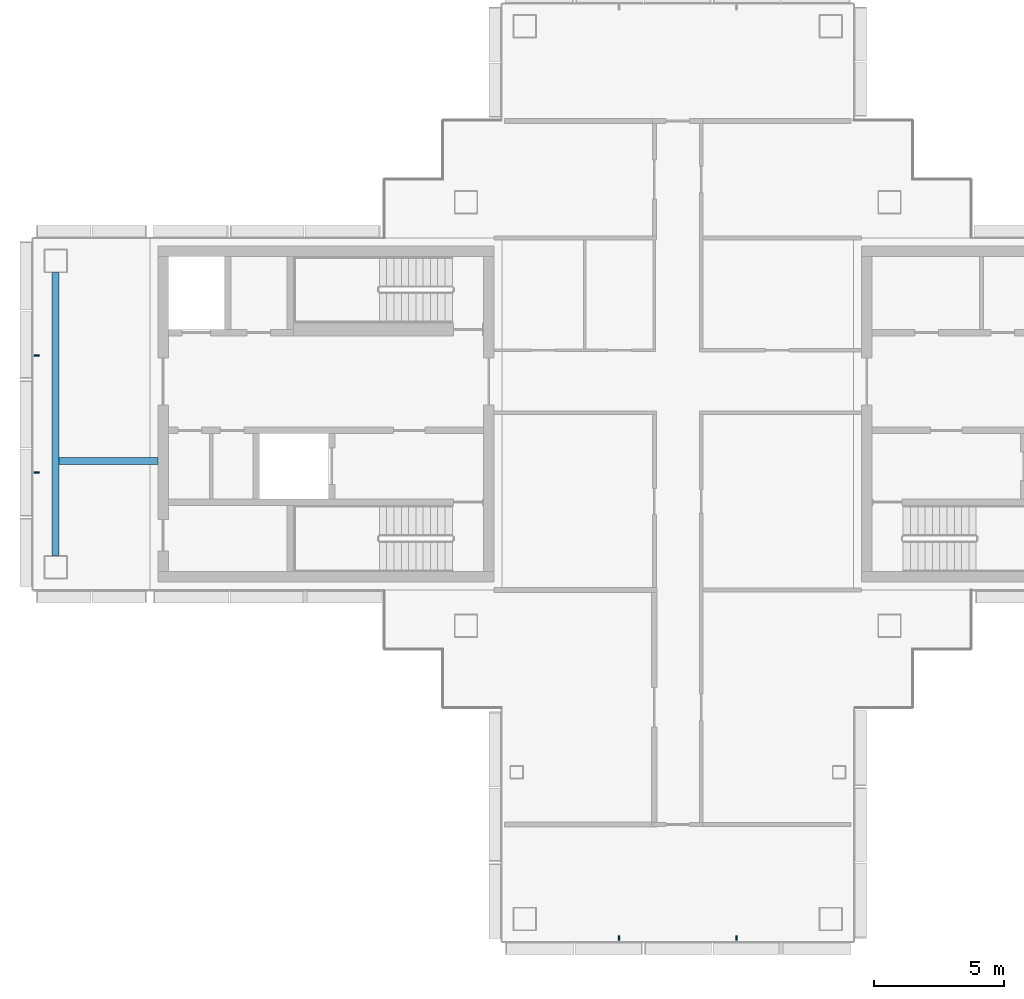
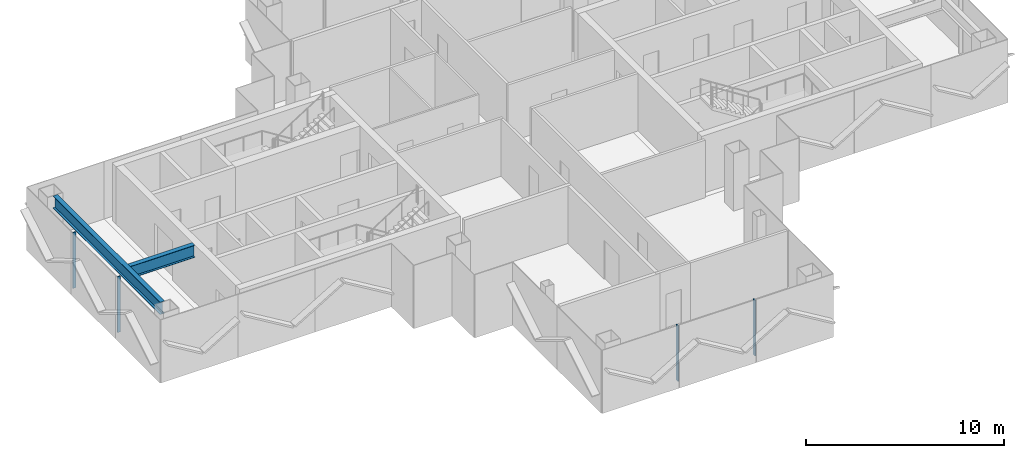
# One storey, part 3 of 17: 4 members, 2 beams, 2 elements without a shape of their own.
"""IFC4 building model written with IfcOpenShell, lengths in metres."""

from ifc_helpers import new_model, si_unit, direction, frame, origin, origin_2d, place, context, subcontext, project, spatial, rectangle, i_section, extrude, material, layer, layer_set, material_profile, profile_set, type_object, element, aggregate, save


model = new_model("IFC4")

# Units and contexts
model_context = context("Model", 3, precision=1e-05, world=origin(), true_north=direction((0.0, 1.0)))
body_context = subcontext(model_context, "Body", "Model", "MODEL_VIEW")
ifc_project = project(units=[si_unit("LENGTHUNIT", "METRE"), si_unit("AREAUNIT", "SQUARE_METRE"), si_unit("VOLUMEUNIT", "CUBIC_METRE"), si_unit("PLANEANGLEUNIT", "RADIAN"), si_unit("MASSUNIT", "GRAM", prefix="KILO")], contexts=[model_context])

# Site, building, storey
site_placement = place(None, origin())
site = spatial("IfcSite", under=ifc_project, at=site_placement, CompositionType="ELEMENT")
building_placement = place(site_placement, origin())
building = spatial("IfcBuilding", under=site, at=building_placement, Name="Shamsa Quay Exchange Towers", CompositionType="ELEMENT")
storey_placement = place(building_placement, frame((0.0, 0.0, 234.300048828125)))
storey = spatial("IfcBuildingStorey", under=building, at=storey_placement, Name="L56", CompositionType="ELEMENT", Elevation=234.300048828125)

# Curtain wall, members
ifc_material_1 = material(Name="Aluminium EN AW-6063 T6, black anodised", Category="aluminium")
ifc_layer = layer(ifc_material_1, 0.280029296875)
ifc_layer_set = layer_set([ifc_layer], Name="CW-1 UNITISED VISION GLASS")
curtain_wall_type = type_object("IfcCurtainWallType", Name="CW-1 UNITISED VISION GLASS", PredefinedType="NOTDEFINED", material=ifc_layer_set)
curtain_wall_1_placement = place(storey_placement, origin())
curtain_wall_1 = element("IfcCurtainWall", 1, at=curtain_wall_1_placement, inside=storey, type_object=curtain_wall_type, Name="CW1 T1-END-V- L56", PredefinedType="NOTDEFINED")
ifc_material_profile_1 = material_profile(ifc_material_1, rectangle(XDim=0.179931640625, YDim=0.06005859375, at=origin_2d()), Name="MU60x180")
ifc_profile_set_1 = profile_set([ifc_material_profile_1], Name="Aluminium EN AW-6063 T6, black anodised")
member_type = type_object("IfcMemberType", Name="CW1 MULLION 60x180", PredefinedType="MULLION", material=ifc_profile_set_1)
member_1_placement = place(storey_placement, frame((-36.0, -20.10009765625, 0.0), z_axis=(0.0, 0.0, 1.0), x_axis=(0.0, 1.0, 0.0)))
member_1 = element("IfcMember", 2, at=member_1_placement, type_object=member_type, Name="CW1 mullion", PredefinedType="MULLION", context=body_context, shape_type="SweptSolid", body=[
    extrude(rectangle(XDim=0.179931640625, YDim=0.06005859375, at=origin_2d()), origin(), (0.0, 0.0, 1.0), 3.449951171875),
])
member_2_placement = place(storey_placement, frame((-31.5, -20.10009765625, 0.0), z_axis=(0.0, 0.0, 1.0), x_axis=(0.0, 1.0, 0.0)))
member_2 = element("IfcMember", 3, at=member_2_placement, type_object=member_type, Name="CW1 mullion", PredefinedType="MULLION", context=body_context, shape_type="SweptSolid", body=[
    extrude(rectangle(XDim=0.179931640625, YDim=0.06005859375, at=origin_2d()), origin(), (0.0, 0.0, 1.0), 3.449951171875),
])
aggregate(curtain_wall_1, [member_1, member_2])

curtain_wall_2_placement = place(storey_placement, origin())
curtain_wall_2 = element("IfcCurtainWall", 4, at=curtain_wall_2_placement, inside=storey, type_object=curtain_wall_type, Name="CW1 T1-END-U- L56", PredefinedType="NOTDEFINED")
member_3_placement = place(storey_placement, frame((-58.35009765625, 2.25, 0.0)))
member_3 = element("IfcMember", 5, at=member_3_placement, type_object=member_type, Name="CW1 mullion", PredefinedType="MULLION", context=body_context, shape_type="SweptSolid", body=[
    extrude(rectangle(XDim=0.179931640625, YDim=0.06005859375, at=origin_2d()), origin(), (0.0, 0.0, 1.0), 3.449951171875),
])
member_4_placement = place(storey_placement, frame((-58.35009765625, -2.25, 0.0)))
member_4 = element("IfcMember", 6, at=member_4_placement, type_object=member_type, Name="CW1 mullion", PredefinedType="MULLION", context=body_context, shape_type="SweptSolid", body=[
    extrude(rectangle(XDim=0.179931640625, YDim=0.06005859375, at=origin_2d()), origin(), (0.0, 0.0, 1.0), 3.449951171875),
])
aggregate(curtain_wall_2, [member_3, member_4])

# Beams
ifc_material_2 = material(Name="Steel S355", Category="steel")
ifc_material_profile_2 = material_profile(ifc_material_2, i_section(OverallWidth=0.26611328125, OverallDepth=0.7578125, WebThickness=0.013916015625, FlangeThickness=0.019287109375, at=origin_2d()), Name="W30x108")
ifc_profile_set_2 = profile_set([ifc_material_profile_2], Name="Steel S355")
beam_type = type_object("IfcBeamType", Name="End-zone beam W30x108", PredefinedType="BEAM", material=ifc_profile_set_2)
beam_1_placement = place(storey_placement, frame((-57.625, -5.425048828125, 3.171142578125), z_axis=(0.0, 1.0, 0.0), x_axis=(-1.0, 0.0, 0.0)))
element("IfcBeam", 7, at=beam_1_placement, inside=storey, type_object=beam_type, Name="End beam T1 U- end zone L56", PredefinedType="BEAM", context=body_context, shape_type="SweptSolid", body=[
    extrude(i_section(OverallWidth=0.26611328125, OverallDepth=0.7578125, WebThickness=0.013916015625, FlangeThickness=0.019287109375, at=origin_2d()), origin(), (0.0, 0.0, 1.0), 10.85009765625),
])
beam_2_placement = place(storey_placement, frame((-53.699951171875, -1.800048828125, 3.171142578125), z_axis=(-1.0, 0.0, 0.0), x_axis=(0.0, -1.0, 0.0)))
element("IfcBeam", 8, at=beam_2_placement, inside=storey, type_object=beam_type, Name="Spine beam T1 U- end zone L56", PredefinedType="BEAM", context=body_context, shape_type="SweptSolid", body=[
    extrude(i_section(OverallWidth=0.26611328125, OverallDepth=0.7578125, WebThickness=0.013916015625, FlangeThickness=0.019287109375, at=origin_2d()), origin(), (0.0, 0.0, 1.0), 3.7919921875),
])

save(model, "model.ifc")
